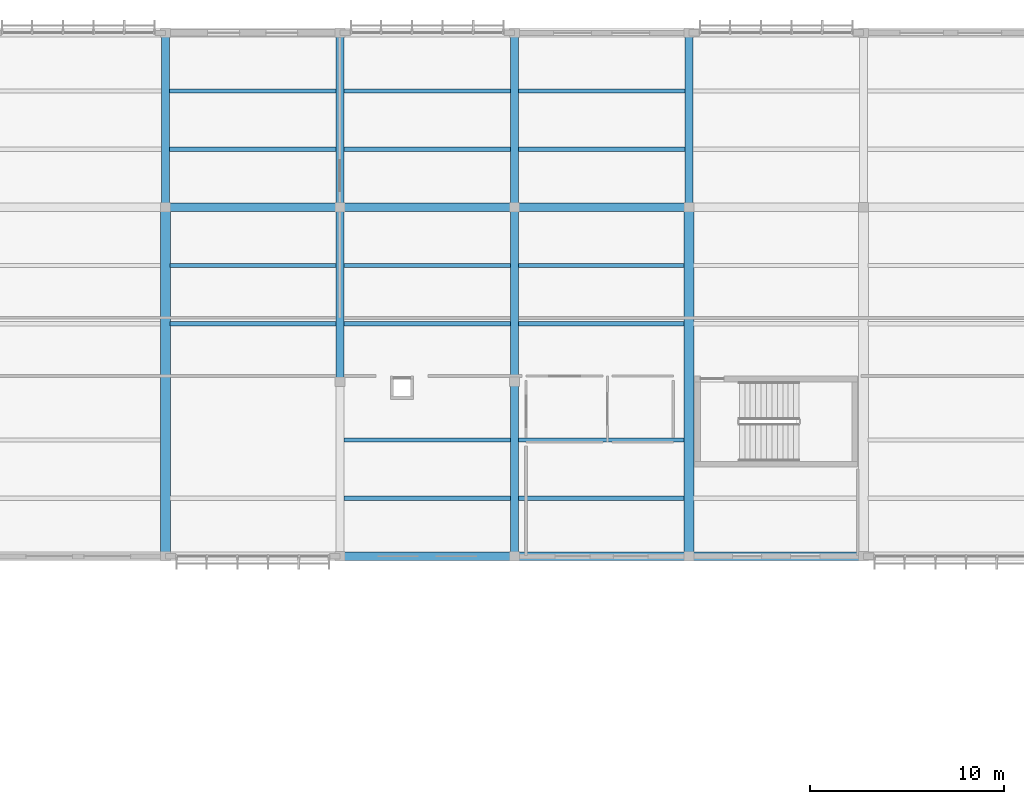
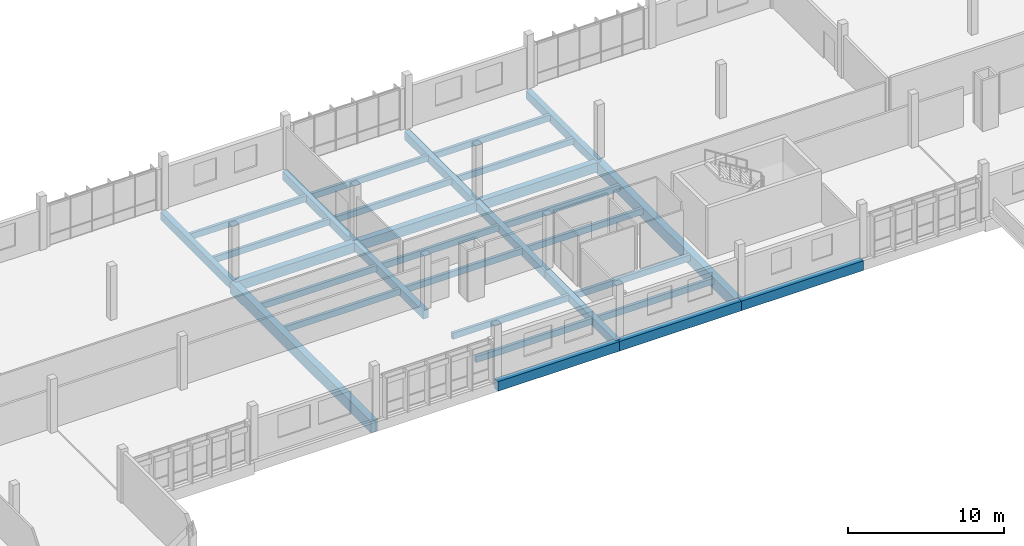
# One storey, part 42 of 107: 31 beams.
"""IFC4 building model written with IfcOpenShell, lengths in metres."""

from ifc_helpers import new_model, si_unit, direction, frame, origin, origin_2d, place, context, subcontext, project, spatial, rectangle, extrude, material, material_profile, profile_set, type_object, element, save


model = new_model("IFC4")

# Units and contexts
model_context = context("Model", 3, precision=1e-05, world=origin(), true_north=direction((0.0, 1.0)))
body_context = subcontext(model_context, "Body", "Model", "MODEL_VIEW")
ifc_project = project(units=[si_unit("LENGTHUNIT", "METRE"), si_unit("AREAUNIT", "SQUARE_METRE"), si_unit("VOLUMEUNIT", "CUBIC_METRE"), si_unit("PLANEANGLEUNIT", "RADIAN"), si_unit("MASSUNIT", "GRAM", prefix="KILO")], contexts=[model_context])

# Site, building, storey
site_placement = place(None, origin())
site = spatial("IfcSite", under=ifc_project, at=site_placement, CompositionType="ELEMENT")
building_placement = place(site_placement, origin())
building = spatial("IfcBuilding", under=site, at=building_placement, Name="Chiffa Square Polytechnic", CompositionType="ELEMENT")
storey_placement = place(building_placement, frame((0.0, 0.0, 13.800048828125)))
storey = spatial("IfcBuildingStorey", under=building, at=storey_placement, Name="L03", CompositionType="ELEMENT", Elevation=13.800048828125)

# Beams
ifc_material_1 = material(Name="Concrete C35/45", Category="concrete")
ifc_material_profile_1 = material_profile(ifc_material_1, rectangle(XDim=0.39990234375, YDim=0.64990234375, at=origin_2d()), Name="RC 400x650")
ifc_profile_set_1 = profile_set([ifc_material_profile_1], Name="Concrete C35/45")
beam_type_1 = type_object("IfcBeamType", Name="BM-RC-400X650", PredefinedType="BEAM", material=ifc_profile_set_1)
for number, where, z_axis, x_axis, name in (
    (1, (66.60009765625, 121.800048828125, -0.5849609375), (0.0, 1.0, 0.0), (-1.0, 0.0, 0.0), "Primary floor girder BM-V5-L03-Y-0666-1218"),
    (2, (75.60009765625, 112.800048828125, -0.5849609375), (0.0, 1.0, 0.0), (-1.0, 0.0, 0.0), "Primary floor girder BM-V5-L03-Y-0756-1128"),
    (3, (75.60009765625, 121.800048828125, -0.5849609375), (0.0, 1.0, 0.0), (-1.0, 0.0, 0.0), "Primary floor girder BM-V5-L03-Y-0756-1218"),
    (4, (84.60009765625, 103.800048828125, -0.5849609375), (0.0, 1.0, 0.0), (-1.0, 0.0, 0.0), "Primary floor girder BM-V5-L03-Y-0846-1038"),
    (5, (84.60009765625, 112.800048828125, -0.5849609375), (0.0, 1.0, 0.0), (-1.0, 0.0, 0.0), "Primary floor girder BM-V5-L03-Y-0846-1128"),
    (6, (84.60009765625, 121.800048828125, -0.5849609375), (0.0, 1.0, 0.0), (-1.0, 0.0, 0.0), "Primary floor girder BM-V5-L03-Y-0846-1218"),
    (7, (93.60009765625, 121.800048828125, -0.5849609375), (0.0, 1.0, 0.0), (-1.0, 0.0, 0.0), "Primary floor girder BM-V5-L03-Y-0936-1218"),
):
    element("IfcBeam", number, at=place(storey_placement, frame(where, z_axis=z_axis, x_axis=x_axis)), inside=storey, type_object=beam_type_1, Name=name, PredefinedType="BEAM", context=body_context, shape_type="SweptSolid", body=[
        extrude(rectangle(XDim=0.39990234375, YDim=0.64990234375, at=origin_2d()), origin(), (0.0, 0.0, 1.0), 9.0),
    ])
ifc_material_profile_2 = material_profile(ifc_material_1, rectangle(XDim=0.449951171875, YDim=0.75, at=origin_2d()), Name="RC 450x750")
ifc_profile_set_2 = profile_set([ifc_material_profile_2], Name="Concrete C35/45")
beam_type_2 = type_object("IfcBeamType", Name="BM-RC-450X750", PredefinedType="BEAM", material=ifc_profile_set_2)
for number, where, z_axis, x_axis, name in (
    (8, (75.60009765625, 103.800048828125, -0.635009765625), (1.0, 0.0, 0.0), (0.0, 1.0, 0.0), "Primary floor girder BM-V5-L03-X-0756-1038"),
    (9, (84.60009765625, 103.800048828125, -0.635009765625), (1.0, 0.0, 0.0), (0.0, 1.0, 0.0), "Primary floor girder BM-V5-L03-X-0846-1038"),
    (10, (93.60009765625, 103.800048828125, -0.635009765625), (1.0, 0.0, 0.0), (0.0, 1.0, 0.0), "Primary floor girder BM-V5-L03-X-0936-1038"),
    (11, (66.60009765625, 121.800048828125, -0.635009765625), (1.0, 0.0, 0.0), (0.0, 1.0, 0.0), "Primary floor girder BM-V5-L03-X-0666-1218"),
    (12, (75.60009765625, 121.800048828125, -0.635009765625), (1.0, 0.0, 0.0), (0.0, 1.0, 0.0), "Primary floor girder BM-V5-L03-X-0756-1218"),
    (13, (84.60009765625, 121.800048828125, -0.635009765625), (1.0, 0.0, 0.0), (0.0, 1.0, 0.0), "Primary floor girder BM-V5-L03-X-0846-1218"),
):
    element("IfcBeam", number, at=place(storey_placement, frame(where, z_axis=z_axis, x_axis=x_axis)), inside=storey, type_object=beam_type_2, Name=name, PredefinedType="BEAM", context=body_context, shape_type="SweptSolid", body=[
        extrude(rectangle(XDim=0.449951171875, YDim=0.75, at=origin_2d()), origin(), (0.0, 0.0, 1.0), 9.0),
    ])
ifc_material_2 = material(Name="Concrete C40/50", Category="concrete")
ifc_material_profile_3 = material_profile(ifc_material_2, rectangle(XDim=0.5, YDim=0.89990234375, at=origin_2d()), Name="RC 500x900")
ifc_profile_set_3 = profile_set([ifc_material_profile_3], Name="Concrete C40/50")
beam_type_3 = type_object("IfcBeamType", Name="BM-RC-500X900", PredefinedType="BEAM", material=ifc_profile_set_3)
for number, where, z_axis, x_axis, name in (
    (14, (66.60009765625, 103.800048828125, -0.7099609375), (0.0, 1.0, 0.0), (-1.0, 0.0, 0.0), "Primary floor girder BM-V5-L03-Y-0666-1038"),
    (15, (93.60009765625, 103.800048828125, -0.7099609375), (0.0, 1.0, 0.0), (-1.0, 0.0, 0.0), "Primary floor girder BM-V5-L03-Y-0936-1038"),
):
    element("IfcBeam", number, at=place(storey_placement, frame(where, z_axis=z_axis, x_axis=x_axis)), inside=storey, type_object=beam_type_3, Name=name, PredefinedType="BEAM", context=body_context, shape_type="SweptSolid", body=[
        extrude(rectangle(XDim=0.5, YDim=0.89990234375, at=origin_2d()), origin(), (0.0, 0.0, 1.0), 18.0),
    ])
ifc_material_3 = material(Name="Glulam GL28h", Category="wood")
ifc_material_profile_4 = material_profile(ifc_material_3, rectangle(XDim=0.219970703125, YDim=0.47998046875, at=origin_2d()), Name="GL28h 220x480")
ifc_profile_set_4 = profile_set([ifc_material_profile_4], Name="Glulam GL28h")
beam_type_4 = type_object("IfcBeamType", Name="JST-GL-220X480", PredefinedType="JOIST", material=ifc_profile_set_4)
for number, where, z_axis, x_axis, name in (
    (16, (66.847900390625, 115.800048828125, -0.5), (1.0, 0.0, 0.0), (0.0, 1.0, 0.0), "Secondary floor joist JST-V5-L03-0666-1158"),
    (17, (66.847900390625, 118.800048828125, -0.5), (1.0, 0.0, 0.0), (0.0, 1.0, 0.0), "Secondary floor joist JST-V5-L03-0666-1188"),
):
    element("IfcBeam", number, at=place(storey_placement, frame(where, z_axis=z_axis, x_axis=x_axis)), inside=storey, type_object=beam_type_4, Name=name, PredefinedType="JOIST", context=body_context, shape_type="SweptSolid", body=[
        extrude(rectangle(XDim=0.219970703125, YDim=0.47998046875, at=origin_2d()), origin(), (0.0, 0.0, 1.0), 8.55419921875),
    ])
for number, where, z_axis, x_axis, name in (
    (18, (66.798095703125, 124.800048828125, -0.5), (1.0, 0.0, 0.0), (0.0, 1.0, 0.0), "Secondary floor joist JST-V5-L03-0666-1248"),
    (19, (66.798095703125, 127.800048828125, -0.5), (1.0, 0.0, 0.0), (0.0, 1.0, 0.0), "Secondary floor joist JST-V5-L03-0666-1278"),
    (20, (75.798095703125, 106.800048828125, -0.5), (1.0, 0.0, 0.0), (0.0, 1.0, 0.0), "Secondary floor joist JST-V5-L03-0756-1068"),
    (21, (75.798095703125, 109.800048828125, -0.5), (1.0, 0.0, 0.0), (0.0, 1.0, 0.0), "Secondary floor joist JST-V5-L03-0756-1098"),
    (22, (75.798095703125, 115.800048828125, -0.5), (1.0, 0.0, 0.0), (0.0, 1.0, 0.0), "Secondary floor joist JST-V5-L03-0756-1158"),
    (23, (75.798095703125, 118.800048828125, -0.5), (1.0, 0.0, 0.0), (0.0, 1.0, 0.0), "Secondary floor joist JST-V5-L03-0756-1188"),
    (24, (75.798095703125, 124.800048828125, -0.5), (1.0, 0.0, 0.0), (0.0, 1.0, 0.0), "Secondary floor joist JST-V5-L03-0756-1248"),
    (25, (75.798095703125, 127.800048828125, -0.5), (1.0, 0.0, 0.0), (0.0, 1.0, 0.0), "Secondary floor joist JST-V5-L03-0756-1278"),
):
    element("IfcBeam", number, at=place(storey_placement, frame(where, z_axis=z_axis, x_axis=x_axis)), inside=storey, type_object=beam_type_4, Name=name, PredefinedType="JOIST", context=body_context, shape_type="SweptSolid", body=[
        extrude(rectangle(XDim=0.219970703125, YDim=0.47998046875, at=origin_2d()), origin(), (0.0, 0.0, 1.0), 8.60400390625),
    ])
for number, where, z_axis, x_axis, name in (
    (26, (84.798095703125, 106.800048828125, -0.5), (1.0, 0.0, 0.0), (0.0, 1.0, 0.0), "Secondary floor joist JST-V5-L03-0846-1068"),
    (27, (84.798095703125, 109.800048828125, -0.5), (1.0, 0.0, 0.0), (0.0, 1.0, 0.0), "Secondary floor joist JST-V5-L03-0846-1098"),
    (28, (84.798095703125, 115.800048828125, -0.5), (1.0, 0.0, 0.0), (0.0, 1.0, 0.0), "Secondary floor joist JST-V5-L03-0846-1158"),
    (29, (84.798095703125, 118.800048828125, -0.5), (1.0, 0.0, 0.0), (0.0, 1.0, 0.0), "Secondary floor joist JST-V5-L03-0846-1188"),
):
    element("IfcBeam", number, at=place(storey_placement, frame(where, z_axis=z_axis, x_axis=x_axis)), inside=storey, type_object=beam_type_4, Name=name, PredefinedType="JOIST", context=body_context, shape_type="SweptSolid", body=[
        extrude(rectangle(XDim=0.219970703125, YDim=0.47998046875, at=origin_2d()), origin(), (0.0, 0.0, 1.0), 8.553955078125),
    ])
for number, where, z_axis, x_axis, name in (
    (30, (84.798095703125, 124.800048828125, -0.5), (1.0, 0.0, 0.0), (0.0, 1.0, 0.0), "Secondary floor joist JST-V5-L03-0846-1248"),
    (31, (84.798095703125, 127.800048828125, -0.5), (1.0, 0.0, 0.0), (0.0, 1.0, 0.0), "Secondary floor joist JST-V5-L03-0846-1278"),
):
    element("IfcBeam", number, at=place(storey_placement, frame(where, z_axis=z_axis, x_axis=x_axis)), inside=storey, type_object=beam_type_4, Name=name, PredefinedType="JOIST", context=body_context, shape_type="SweptSolid", body=[
        extrude(rectangle(XDim=0.219970703125, YDim=0.47998046875, at=origin_2d()), origin(), (0.0, 0.0, 1.0), 8.60400390625),
    ])

save(model, "model.ifc")
